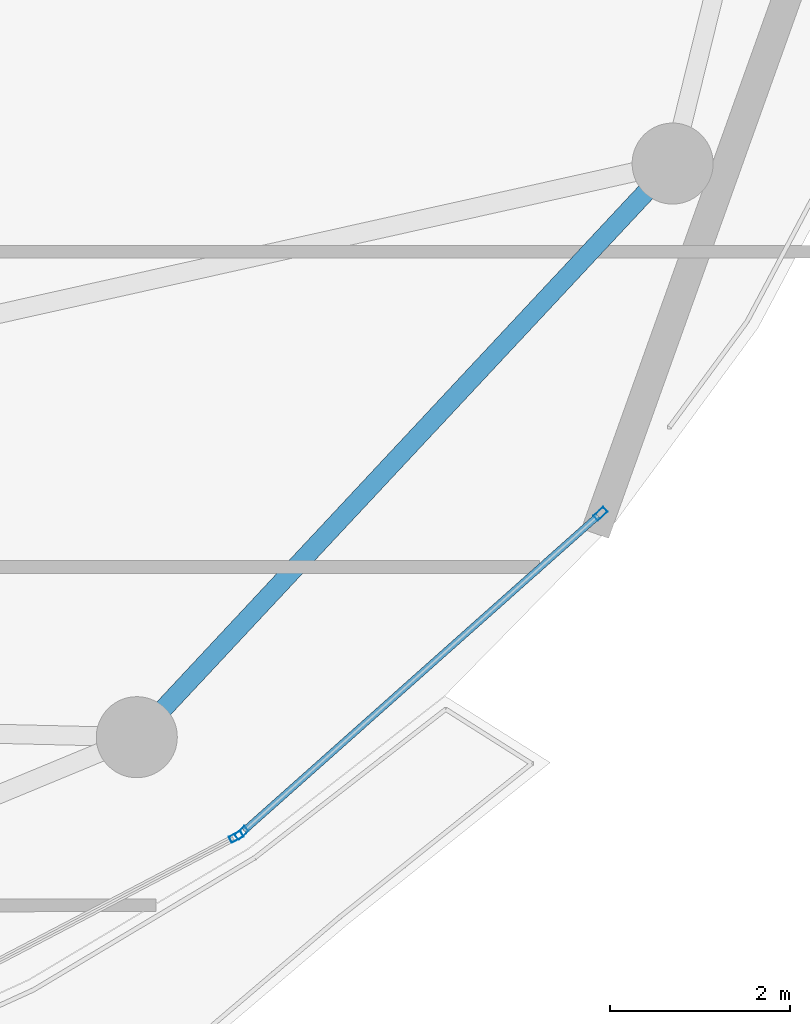
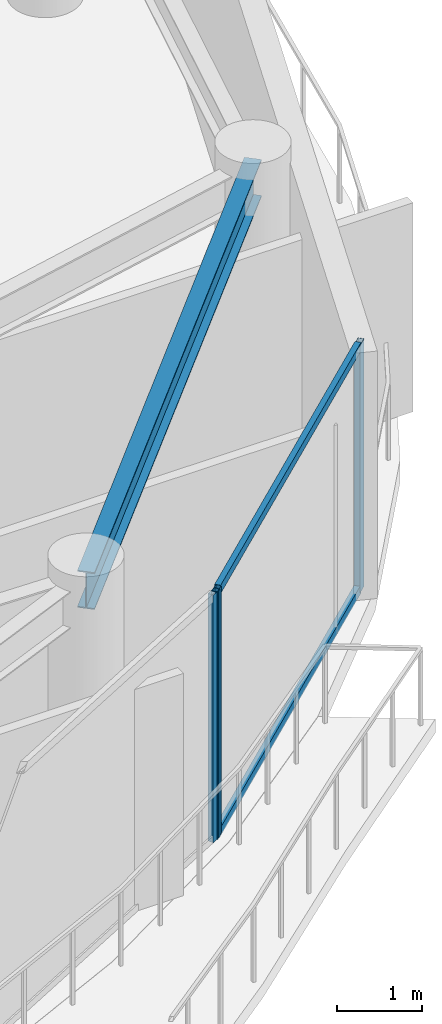
# One storey, part 15 of 29: 5 members, 1 beam, 2 elements without a shape of their own.
"""IFC4 building model written with IfcOpenShell, lengths in metres."""

from ifc_helpers import new_model, si_unit, direction, frame, origin, origin_2d, place, context, subcontext, project, spatial, hollow_rectangle, i_section, extrude, material, layer, layer_set, material_profile, profile_set, type_object, element, aggregate, save


model = new_model("IFC4")

# Units and contexts
model_context = context("Model", 3, precision=1e-05, world=origin(), true_north=direction((0.0, 1.0)))
body_context = subcontext(model_context, "Body", "Model", "MODEL_VIEW")
ifc_project = project(units=[si_unit("LENGTHUNIT", "METRE"), si_unit("AREAUNIT", "SQUARE_METRE"), si_unit("VOLUMEUNIT", "CUBIC_METRE"), si_unit("PLANEANGLEUNIT", "RADIAN"), si_unit("MASSUNIT", "GRAM", prefix="KILO")], contexts=[model_context])

# Site, building, storey
site_placement = place(None, origin())
site = spatial("IfcSite", under=ifc_project, at=site_placement, CompositionType="ELEMENT")
building_placement = place(site_placement, origin())
building = spatial("IfcBuilding", under=site, at=building_placement, Name="Kazevale Care Tower and Concert Hall", CompositionType="ELEMENT")
storey_placement = place(building_placement, frame((0.0, 0.0, 281.39990234375)))
storey = spatial("IfcBuildingStorey", under=building, at=storey_placement, Name="L74", CompositionType="ELEMENT", Elevation=281.39990234375)

# Curtain wall, members
ifc_material_1 = material(Name="Aluminium 6063-T6 and Low-E Glass", Category="aluminium")
ifc_layer = layer(ifc_material_1, 0.179931640625)
ifc_layer_set = layer_set([ifc_layer], Name="Aluminium 6063-T6 and Low-E Glass")
curtain_wall_type = type_object("IfcCurtainWallType", Name="Sheltered Concave Balcony Curtain Wall CW-5", PredefinedType="NOTDEFINED", material=ifc_layer_set)
curtain_wall_1_placement = place(storey_placement, origin())
curtain_wall_1 = element("IfcCurtainWall", 1, at=curtain_wall_1_placement, inside=storey, type_object=curtain_wall_type, Name="cw:L74:f02", PredefinedType="NOTDEFINED")
ifc_material_2 = material(Name="Aluminium 6063-T6", Category="aluminium")
ifc_material_profile_1 = material_profile(ifc_material_2, hollow_rectangle(XDim=0.074951171875, YDim=0.14990234375, WallThickness=0.00390625, at=origin_2d()), Name="ALU75x150x4")
ifc_profile_set_1 = profile_set([ifc_material_profile_1], Name="Aluminium 6063-T6")
member_type_1 = type_object("IfcMemberType", Name="CW-5 Mullion ALU75x150x4", PredefinedType="MULLION", material=ifc_profile_set_1)
member_1_placement = place(storey_placement, frame((69.55908203125, 25.592041015625, 0.0), z_axis=(0.0, 0.0, 1.0), x_axis=(0.664673629123, -0.747133834563, 0.0)))
member_1 = element("IfcMember", 2, at=member_1_placement, type_object=member_type_1, Name="CW-5 mullion 1", PredefinedType="MULLION", context=body_context, shape_type="SweptSolid", body=[
    extrude(hollow_rectangle(XDim=0.074951171875, YDim=0.14990234375, WallThickness=0.00390625, at=origin_2d()), origin(), (0.0, 0.0, 1.0), 3.56005859375),
])
member_2_placement = place(storey_placement, frame((65.573974609375, 22.046875, 0.0), z_axis=(0.0, 0.0, 1.0), x_axis=(0.664673629123, -0.747133834563, 0.0)))
member_2 = element("IfcMember", 3, at=member_2_placement, type_object=member_type_1, Name="CW-5 mullion 2", PredefinedType="MULLION", context=body_context, shape_type="SweptSolid", body=[
    extrude(hollow_rectangle(XDim=0.074951171875, YDim=0.14990234375, WallThickness=0.00390625, at=origin_2d()), origin(), (0.0, 0.0, 1.0), 3.56005859375),
])

# Curtain wall, member
curtain_wall_2_placement = place(storey_placement, origin())
curtain_wall_2 = element("IfcCurtainWall", 4, at=curtain_wall_2_placement, inside=storey, type_object=curtain_wall_type, Name="cw:L74:f03", PredefinedType="NOTDEFINED")
member_3_placement = place(storey_placement, frame((65.5126953125, 22.004638671875, 0.0), z_axis=(0.0, 0.0, 1.0), x_axis=(0.463680915912, -0.886002261972, 0.0)))
member_3 = element("IfcMember", 5, at=member_3_placement, type_object=member_type_1, Name="CW-5 mullion 1", PredefinedType="MULLION", context=body_context, shape_type="SweptSolid", body=[
    extrude(hollow_rectangle(XDim=0.074951171875, YDim=0.14990234375, WallThickness=0.00390625, at=origin_2d()), origin(), (0.0, 0.0, 1.0), 3.56005859375),
])
aggregate(curtain_wall_2, [member_3])

# Member
ifc_material_profile_2 = material_profile(ifc_material_2, hollow_rectangle(XDim=0.074951171875, YDim=0.1201171875, WallThickness=0.00390625, at=origin_2d()), Name="ALU75x120x4")
ifc_profile_set_2 = profile_set([ifc_material_profile_2], Name="Aluminium 6063-T6")
member_type_2 = type_object("IfcMemberType", Name="CW-5 Transom ALU75x120x4", PredefinedType="USERDEFINED", material=ifc_profile_set_2)
member_4_placement = place(storey_placement, frame((69.531005859375, 25.567138671875, 0.03759765625), z_axis=(-0.747130057657, -0.664677874572, 0.0), x_axis=(0.664677874572, -0.747130057657, 0.0)))
member_4 = element("IfcMember", 6, at=member_4_placement, type_object=member_type_2, Name="CW-5 transom 1.1", ObjectType="TRANSOM", PredefinedType="USERDEFINED", context=body_context, shape_type="SweptSolid", body=[
    extrude(hollow_rectangle(XDim=0.074951171875, YDim=0.1201171875, WallThickness=0.00390625, at=origin_2d()), origin(), (0.0, 0.0, 1.0), 5.2587890625),
])

member_5_placement = place(storey_placement, frame((69.531005859375, 25.567138671875, 3.522705078125), z_axis=(-0.747130057657, -0.664677874572, 0.0), x_axis=(0.664677874572, -0.747130057657, 0.0)))
member_5 = element("IfcMember", 7, at=member_5_placement, type_object=member_type_2, Name="CW-5 transom 1.2", ObjectType="TRANSOM", PredefinedType="USERDEFINED", context=body_context, shape_type="SweptSolid", body=[
    extrude(hollow_rectangle(XDim=0.074951171875, YDim=0.1201171875, WallThickness=0.00390625, at=origin_2d()), origin(), (0.0, 0.0, 1.0), 5.2587890625),
])

aggregate(curtain_wall_1, [member_1, member_2, member_4, member_5])

# Beam
ifc_material_3 = material(Name="Steel ASTM A572 Gr 50", Category="steel")
ifc_material_profile_3 = material_profile(ifc_material_3, i_section(OverallWidth=0.208984375, OverallDepth=0.532958984375, WebThickness=0.01025390625, FlangeThickness=0.015625, at=origin_2d()), Name="W530x92")
ifc_profile_set_3 = profile_set([ifc_material_profile_3], Name="Steel ASTM A572 Gr 50")
beam_type = type_object("IfcBeamType", Name="Upper Ring Beam W530x92", PredefinedType="BEAM", material=ifc_profile_set_3)
beam_placement = place(storey_placement, frame((64.409912109375, 23.110107421875, 3.293701171875), z_axis=(0.682623556843, 0.730770196192, 0.0), x_axis=(-0.730770196192, 0.682623556843, 0.0)))
element("IfcBeam", 8, at=beam_placement, inside=storey, type_object=beam_type, Name="beam:L74:ring:15", PredefinedType="BEAM", context=body_context, shape_type="SweptSolid", body=[
    extrude(i_section(OverallWidth=0.208984375, OverallDepth=0.532958984375, WebThickness=0.01025390625, FlangeThickness=0.015625, at=origin_2d()), origin(), (0.0, 0.0, 1.0), 8.716552734375),
])

save(model, "model.ifc")
